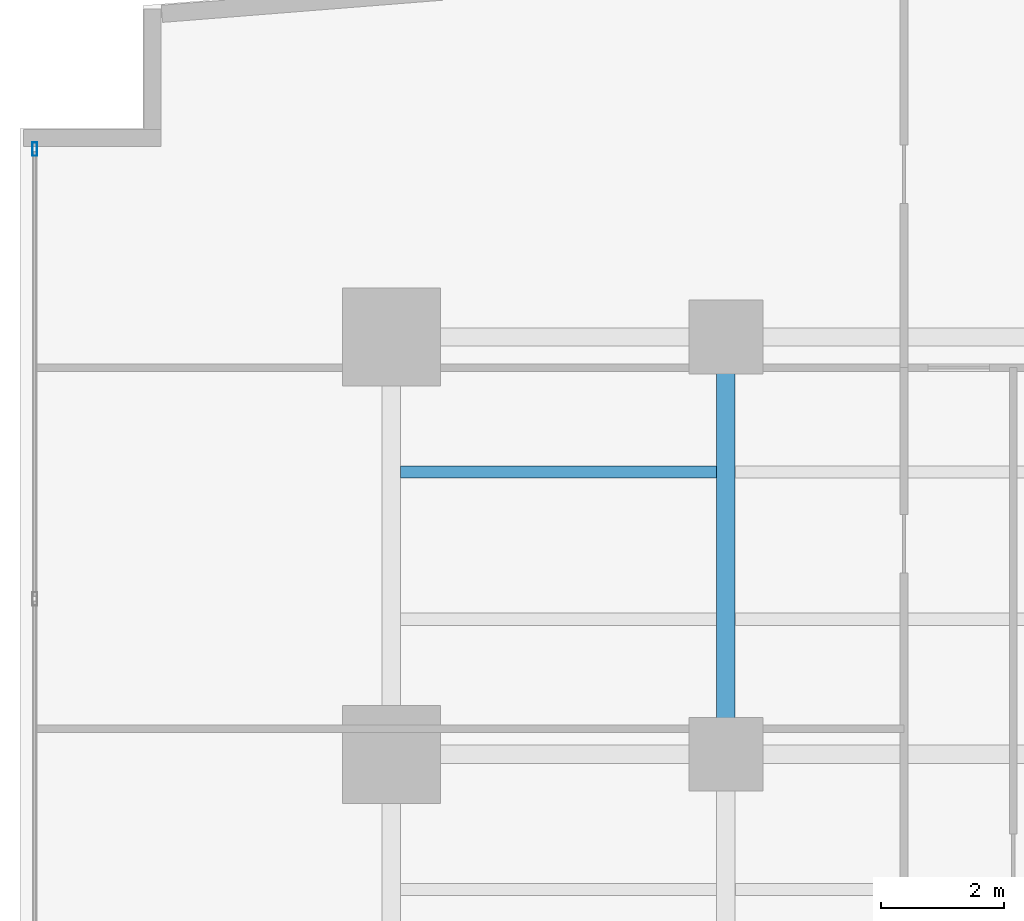
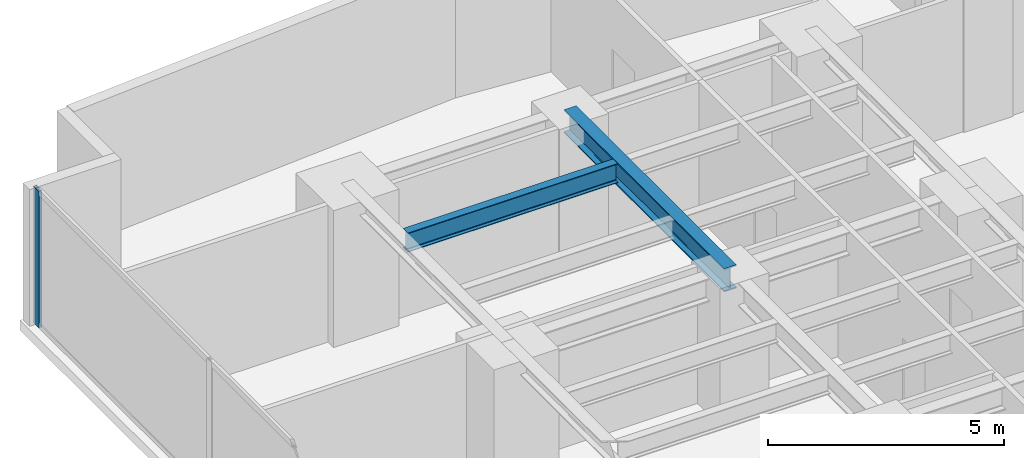
# One storey, part 17 of 27: 2 beams, 1 member, 1 element without a shape of its own.
"""IFC4 building model written with IfcOpenShell, lengths in metres."""

import ifcopenshell
import ifcopenshell.guid

model = None  # the IFC model being written
_history = None  # IfcOwnerHistory: only IFC2X3 demands one
_inside = {}  # id of a spatial element -> (the spatial element, [elements in it])
_under = {}  # id of a project, library or spatial element -> (it, [spatial elements below it])
_declared = {}  # id of a project -> (the project, [libraries it declares])
_typed = {}  # id of a type object -> (the type object, [elements of that type])
_made_of = {}  # id of a material, layer set ... -> (it, [elements and type objects made of it])


def new_model(schema):
    """Start an empty IFC model of exactly this schema.

    Asked for "IFC4X3", IfcOpenShell would pick the latest addendum, in which some entities
    have other attributes; the version numbers below select the first issue.
    IFC2X3 requires an IfcOwnerHistory on every rooted entity: one is made here for all.
    """
    global model, _history
    if schema == "IFC4X3":
        model = ifcopenshell.file(schema_version=(4, 3, 0, 0))
    else:
        model = ifcopenshell.file(schema=schema)
    _inside.clear()
    _under.clear()
    _declared.clear()
    _typed.clear()
    _made_of.clear()
    _history = None
    if model.schema == "IFC2X3":
        org = make("IfcOrganization", Name="unknown")
        user = make(
            "IfcPersonAndOrganization",
            ThePerson=make("IfcPerson", FamilyName="unknown"),
            TheOrganization=org,
        )
        app = make(
            "IfcApplication",
            ApplicationDeveloper=org,
            Version="unknown",
            ApplicationFullName="unknown",
            ApplicationIdentifier="unknown",
        )
        _history = make(
            "IfcOwnerHistory",
            OwningUser=user,
            OwningApplication=app,
            ChangeAction="ADDED",
            CreationDate=0,
        )
    return model


def make(cls, **values):
    """One entity of the class cls with the attributes given. An attribute that is None is left unset."""
    return model.create_entity(
        cls, **{name: value for name, value in values.items() if value is not None}
    )


def rooted(cls, **values):
    """An entity with a GlobalId (a new one), such as an element, a storey or a relation."""
    return make(cls, GlobalId=ifcopenshell.guid.new(), OwnerHistory=_history, **values)


def si_unit(unit_type, name, prefix=None):
    """IfcSIUnit, for example si_unit("LENGTHUNIT", "METRE", prefix="MILLI")."""
    return make("IfcSIUnit", UnitType=unit_type, Prefix=prefix, Name=name)


def assignment(units):
    """IfcUnitAssignment: the units of a project."""
    return None if units is None else make("IfcUnitAssignment", Units=units)


def point(xyz):
    """IfcCartesianPoint."""
    return None if xyz is None else make("IfcCartesianPoint", Coordinates=xyz)


def direction(xyz):
    """IfcDirection."""
    return None if xyz is None else make("IfcDirection", DirectionRatios=xyz)


def frame(location, z_axis=None, x_axis=None):
    """IfcAxis2Placement3D, a coordinate frame: its origin and axes. An axis left out is left unset."""
    return make(
        "IfcAxis2Placement3D",
        Location=point(location),
        Axis=direction(z_axis),
        RefDirection=direction(x_axis),
    )


def frame_2d(location, x_axis=None):
    """IfcAxis2Placement2D, a coordinate frame in the plane: its origin and x axis."""
    return make(
        "IfcAxis2Placement2D", Location=point(location), RefDirection=direction(x_axis)
    )


def origin():
    """The frame at (0, 0, 0) with its axes left unset."""
    return frame((0.0, 0.0, 0.0))


def origin_with_axes():
    """The frame at (0, 0, 0) with the z axis (0, 0, 1) and the x axis (1, 0, 0) written out."""
    return frame((0.0, 0.0, 0.0), z_axis=(0.0, 0.0, 1.0), x_axis=(1.0, 0.0, 0.0))


def origin_2d():
    """The frame at (0, 0) in the plane with its x axis left unset."""
    return frame_2d((0.0, 0.0))


def place(relative_to, where):
    """IfcLocalPlacement: puts the frame where relative to a parent placement (None: the world)."""
    return make(
        "IfcLocalPlacement", PlacementRelTo=relative_to, RelativePlacement=where
    )


def context(
    kind, dimensions, precision=None, world=None, true_north=None, identifier=None
):
    """IfcGeometricRepresentationContext, for example the 3D "Model" context."""
    return make(
        "IfcGeometricRepresentationContext",
        ContextIdentifier=identifier,
        ContextType=kind,
        CoordinateSpaceDimension=dimensions,
        Precision=precision,
        WorldCoordinateSystem=world,
        TrueNorth=true_north,
    )


def subcontext(parent, identifier, kind, view, scale=None):
    """IfcGeometricRepresentationSubContext, for example "Body" below "Model"."""
    return make(
        "IfcGeometricRepresentationSubContext",
        ContextIdentifier=identifier,
        ContextType=kind,
        ParentContext=parent,
        TargetScale=scale,
        TargetView=view,
    )


def project(units=None, contexts=None):
    """IfcProject with its units and contexts."""
    return rooted(
        "IfcProject",
        Name="project",
        RepresentationContexts=contexts,
        UnitsInContext=assignment(units),
    )


def spatial(cls, under=None, at=None, **own):
    """A site, building, storey or space (cls), placed at a placement, below another one or the project."""
    s = rooted(cls, ObjectPlacement=at, **own)
    if under is not None:
        _under.setdefault(under.id(), (under, []))[1].append(s)
    return s


def profile(cls, at=None, kind="AREA", **sizes):
    """A parametric profile (cls). Its sizes go by their IFC names, for example OverallWidth=200.0."""
    return make(cls, ProfileType=kind, Position=at, **sizes)


def hollow_rectangle(**sizes):
    """IfcRectangleHollowProfileDef."""
    return profile("IfcRectangleHollowProfileDef", **sizes)


def i_section(**sizes):
    """IfcIShapeProfileDef."""
    return profile("IfcIShapeProfileDef", **sizes)


def extrude(swept, where, along, depth):
    """IfcExtrudedAreaSolid: the profile swept, set in the frame where, extruded along a direction by depth."""
    return make(
        "IfcExtrudedAreaSolid",
        SweptArea=swept,
        Position=where,
        ExtrudedDirection=direction(along),
        Depth=depth,
    )


def shape(context_of_items, identifier, shape_type, items):
    """IfcShapeRepresentation: the items that make up one representation, for example the "Body"."""
    return make(
        "IfcShapeRepresentation",
        ContextOfItems=context_of_items,
        RepresentationIdentifier=identifier,
        RepresentationType=shape_type,
        Items=items,
    )


def source(mapping_origin, context_of_items, identifier, shape_type, items):
    """IfcRepresentationMap: a shape defined once, which mapped items show again and again."""
    return make(
        "IfcRepresentationMap",
        MappingOrigin=mapping_origin,
        MappedRepresentation=shape(context_of_items, identifier, shape_type, items),
    )


def transform(
    local_origin,
    x_axis=None,
    y_axis=None,
    z_axis=None,
    scale=None,
    scale2=None,
    scale3=None,
    uniform=True,
):
    """IfcCartesianTransformationOperator3D, or its non-uniform kind. x_axis, y_axis, z_axis: its Axis1, 2, 3."""
    if uniform:
        return make(
            "IfcCartesianTransformationOperator3D",
            Axis1=direction(x_axis),
            Axis2=direction(y_axis),
            LocalOrigin=point(local_origin),
            Scale=scale,
            Axis3=direction(z_axis),
        )
    return make(
        "IfcCartesianTransformationOperator3DnonUniform",
        Axis1=direction(x_axis),
        Axis2=direction(y_axis),
        LocalOrigin=point(local_origin),
        Scale=scale,
        Axis3=direction(z_axis),
        Scale2=scale2,
        Scale3=scale3,
    )


def mapped(mapping_source, mapping_target):
    """IfcMappedItem: shows the shape of a source again, moved by a transform."""
    return make(
        "IfcMappedItem", MappingSource=mapping_source, MappingTarget=mapping_target
    )


def material(Name=None, Category=None):
    """IfcMaterial."""
    return make("IfcMaterial", Name=Name, Category=Category)


def layer(
    of_material, thickness, ventilated=None, Name=None, Category=None, Priority=None
):
    """IfcMaterialLayer: one layer of a wall or slab, of a material (None: an air gap)."""
    return make(
        "IfcMaterialLayer",
        Material=of_material,
        LayerThickness=thickness,
        IsVentilated=ventilated,
        Name=Name,
        Category=Category,
        Priority=Priority,
    )


def layer_set(layers, Name=None):
    """IfcMaterialLayerSet."""
    return make("IfcMaterialLayerSet", MaterialLayers=layers, LayerSetName=Name)


def material_profile(
    of_material, cross_section, Name=None, Category=None, Priority=None
):
    """IfcMaterialProfile: a cross section and its material."""
    return make(
        "IfcMaterialProfile",
        Name=Name,
        Material=of_material,
        Profile=cross_section,
        Priority=Priority,
        Category=Category,
    )


def profile_set(profiles, Name=None, composite=None):
    """IfcMaterialProfileSet."""
    return make(
        "IfcMaterialProfileSet",
        Name=Name,
        MaterialProfiles=profiles,
        CompositeProfile=composite,
    )


def made_of(thing, what):
    """Note that an element or type object is made of a material, layer set ...; save() writes the relation."""
    if what is not None:
        _made_of.setdefault(what.id(), (what, []))[1].append(thing)
    return thing


def type_object(cls, material=None, **own):
    """A type object (cls), such as IfcWallType, which elements share."""
    return made_of(rooted(cls, **own), material)


def element(
    cls,
    number,
    at=None,
    inside=None,
    cuts=None,
    type_object=None,
    material=None,
    context=None,
    identifier="Body",
    shape_type=None,
    held_by="IfcProductDefinitionShape",
    body=None,
    shapes=None,
    **own,
):
    """One element of the class cls, such as IfcWall. Its Tag is "e" and its number.

    at: its placement. inside: the storey or other place that contains it. cuts: it is an
    opening in that element (IfcRelVoidsElement). A single representation is given by context,
    identifier, shape_type and body (its items); several are given by shapes. held_by: the class
    of the entity that holds the representations. save() writes the other relations.
    """
    e = rooted(cls, Tag="e%d" % number, ObjectPlacement=at, **own)
    if body is not None:
        shapes = [shape(context, identifier, shape_type, body)]
    if shapes is not None:
        e.Representation = make(held_by, Representations=shapes)
    if inside is not None:
        _inside.setdefault(inside.id(), (inside, []))[1].append(e)
    if cuts is not None:
        rooted(
            "IfcRelVoidsElement", RelatingBuildingElement=cuts, RelatedOpeningElement=e
        )
    if type_object is not None:
        _typed.setdefault(type_object.id(), (type_object, []))[1].append(e)
    return made_of(e, material)


def aggregate(whole, parts):
    """IfcRelAggregates: a whole, such as a stair, and the parts it consists of."""
    return rooted("IfcRelAggregates", RelatingObject=whole, RelatedObjects=parts)


def save(model, path):
    """Write the relations noted so far, then the file.

    IfcRelAggregates (storeys below a building ...), IfcRelContainedInSpatialStructure (elements
    in a storey), IfcRelDefinesByType, IfcRelAssociatesMaterial and IfcRelDeclares: one each for
    every whole, place, type object, material and project.
    """
    for whole, parts in _under.values():
        aggregate(whole, parts)
    for where, things in _inside.values():
        rooted(
            "IfcRelContainedInSpatialStructure",
            RelatedElements=things,
            RelatingStructure=where,
        )
    for kind, things in _typed.values():
        rooted("IfcRelDefinesByType", RelatedObjects=things, RelatingType=kind)
    for what, things in _made_of.values():
        rooted("IfcRelAssociatesMaterial", RelatedObjects=things, RelatingMaterial=what)
    for by, libraries in _declared.values():
        rooted("IfcRelDeclares", RelatingContext=by, RelatedDefinitions=libraries)
    model.write(path)


model = new_model("IFC4")

# Units and contexts
model_context = context("Model", 3, precision=1e-05, world=origin(), true_north=direction((0.0, 1.0)))
body_context = subcontext(model_context, "Body", "Model", "MODEL_VIEW")
ifc_project = project(units=[si_unit("LENGTHUNIT", "METRE"), si_unit("AREAUNIT", "SQUARE_METRE"), si_unit("VOLUMEUNIT", "CUBIC_METRE"), si_unit("PLANEANGLEUNIT", "RADIAN"), si_unit("MASSUNIT", "GRAM", prefix="KILO")], contexts=[model_context])

# Site, building, storey
site_placement = place(None, origin())
site = spatial("IfcSite", under=ifc_project, at=site_placement, CompositionType="ELEMENT")
building_placement = place(site_placement, origin())
building = spatial("IfcBuilding", under=site, at=building_placement, Name="Kolvaren Waterfront Exchange", CompositionType="ELEMENT")
storey_placement = place(building_placement, frame((0.0, 0.0, 60.0)))
storey = spatial("IfcBuildingStorey", under=building, at=storey_placement, Name="L15", CompositionType="ELEMENT", Elevation=60.0)

# Beams
ifc_material_1 = material(Name="Steel S355", Category="steel")
ifc_material_profile_1 = material_profile(ifc_material_1, i_section(OverallWidth=0.300048828125, OverallDepth=0.60009765625, WebThickness=0.015380859375, FlangeThickness=0.030029296875, FilletRadius=0.027099609375, at=origin_2d()), Name="HEB600")
ifc_profile_set_1 = profile_set([ifc_material_profile_1], Name="Steel S355")
beam_type_1 = type_object("IfcBeamType", Name="STR-BM-HEB600", PredefinedType="BEAM", material=ifc_profile_set_1)
beam_1_placement = place(storey_placement, frame((12.89990234375, 37.800048828125, 3.239990234375), z_axis=(0.0, 1.0, 0.0), x_axis=(-1.0, 0.0, 0.0)))
element("IfcBeam", 1, at=beam_1_placement, inside=storey, type_object=beam_type_1, Name="L15 north-arm edge beam 3", PredefinedType="BEAM", context=body_context, shape_type="SweptSolid", body=[
    extrude(i_section(OverallWidth=0.300048828125, OverallDepth=0.60009765625, WebThickness=0.015380859375, FlangeThickness=0.030029296875, FilletRadius=0.027099609375, at=origin_2d()), origin(), (0.0, 0.0, 1.0), 6.800048828125),
])
ifc_material_profile_2 = material_profile(ifc_material_1, i_section(OverallWidth=0.199951171875, OverallDepth=0.5, WebThickness=0.01025390625, FlangeThickness=0.01611328125, FilletRadius=0.02099609375, at=origin_2d()), Name="IPE500")
ifc_profile_set_2 = profile_set([ifc_material_profile_2], Name="Steel S355")
beam_type_2 = type_object("IfcBeamType", Name="STR-BM-IPE500", PredefinedType="JOIST", material=ifc_profile_set_2)
beam_2_placement = place(storey_placement, frame((7.60205078125, 42.39990234375, 3.2900390625), z_axis=(1.0, 0.0, 0.0), x_axis=(0.0, 1.0, 0.0)))
element("IfcBeam", 2, at=beam_2_placement, inside=storey, type_object=beam_type_2, Name="L15 north-arm composite joist 6A", PredefinedType="JOIST", context=body_context, shape_type="SweptSolid", body=[
    extrude(i_section(OverallWidth=0.199951171875, OverallDepth=0.5, WebThickness=0.01025390625, FlangeThickness=0.01611328125, FilletRadius=0.02099609375, at=origin_2d()), origin(), (0.0, 0.0, 1.0), 5.14599609375),
])

# Curtain wall, member
ifc_material_2 = material(Name="Anodised aluminium 6063-T6", Category="aluminium")
ifc_layer = layer(ifc_material_2, 0.219970703125, Name="Anodised aluminium 6063-T6")
ifc_layer_set = layer_set([ifc_layer], Name="Anodised aluminium 6063-T6")
curtain_wall_type = type_object("IfcCurtainWallType", Name="ARC-CW-SYS2", PredefinedType="USERDEFINED", material=ifc_layer_set)
curtain_wall_placement = place(storey_placement, origin())
curtain_wall = element("IfcCurtainWall", 3, at=curtain_wall_placement, inside=storey, type_object=curtain_wall_type, Name="L15 stick curtain wall CW2 (CW-L15-W)", ObjectType="STICK CURTAIN WALL", PredefinedType="USERDEFINED")
ifc_material_profile_3 = material_profile(ifc_material_2, hollow_rectangle(XDim=0.080078125, YDim=0.219970703125, WallThickness=0.0048828125, at=origin_2d()), Name="ALU-MUL-220x80x5")
ifc_profile_set_3 = profile_set([ifc_material_profile_3], Name="Anodised aluminium 6063-T6")
member_type = type_object("IfcMemberType", Name="ARC-CWM-220", PredefinedType="MULLION", material=ifc_profile_set_3)
shared_shape = source(origin_with_axes(), body_context, "Body", "SweptSolid", [
    extrude(hollow_rectangle(XDim=0.080078125, YDim=0.219970703125, WallThickness=0.0048828125, at=origin_2d()), origin(), (0.0, 0.0, 1.0), 3.5400390625),
])
member_placement = place(storey_placement, frame((1.639892578125, 47.659912109375, 0.0), z_axis=(0.0, 0.0, 1.0), x_axis=(-1.0, 0.0, 0.0)))
member = element("IfcMember", 4, at=member_placement, type_object=member_type, Name="CW2 mullion 7", PredefinedType="MULLION", context=body_context, shape_type="MappedRepresentation", body=[
    mapped(shared_shape, transform((0.0, 0.0, 0.0), x_axis=(1.0, 0.0, 0.0), y_axis=(0.0, 1.0, 0.0), z_axis=(0.0, 0.0, 1.0), scale=1.0)),
])
aggregate(curtain_wall, [member])

save(model, "model.ifc")
